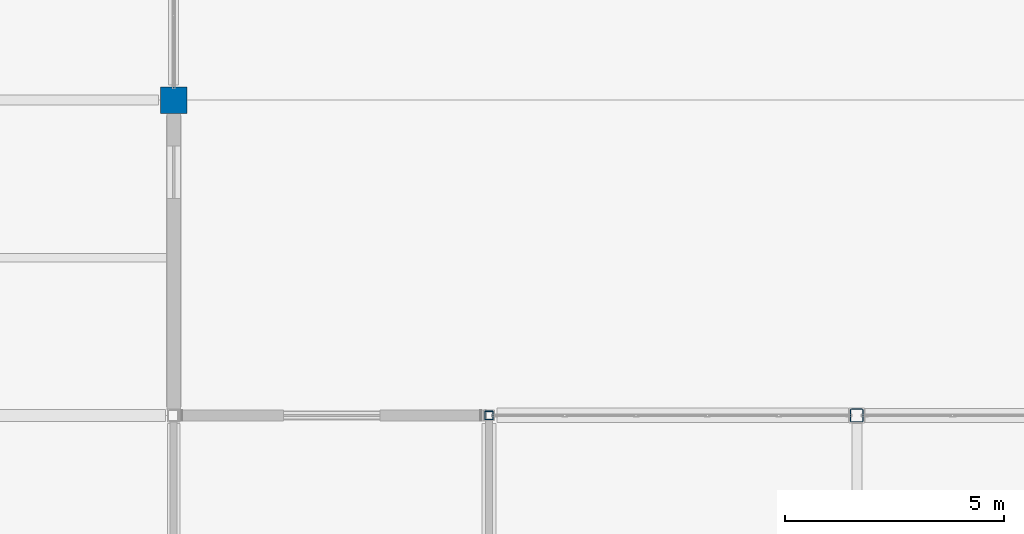
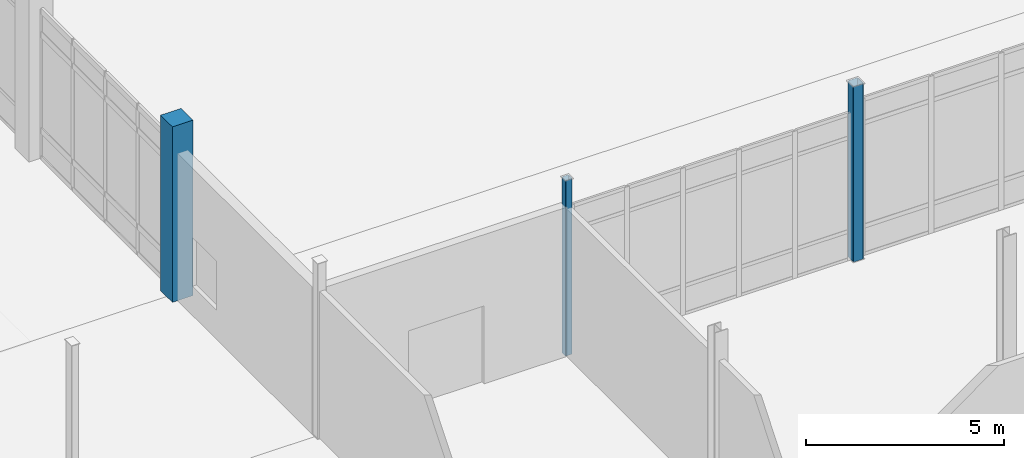
# One storey, part 9 of 229: 3 columns.
"""IFC4 building model written with IfcOpenShell, lengths in metres."""

import ifcopenshell
import ifcopenshell.guid

model = None  # the IFC model being written
_history = None  # IfcOwnerHistory: only IFC2X3 demands one
_inside = {}  # id of a spatial element -> (the spatial element, [elements in it])
_under = {}  # id of a project, library or spatial element -> (it, [spatial elements below it])
_declared = {}  # id of a project -> (the project, [libraries it declares])
_typed = {}  # id of a type object -> (the type object, [elements of that type])
_made_of = {}  # id of a material, layer set ... -> (it, [elements and type objects made of it])


def new_model(schema):
    """Start an empty IFC model of exactly this schema.

    Asked for "IFC4X3", IfcOpenShell would pick the latest addendum, in which some entities
    have other attributes; the version numbers below select the first issue.
    IFC2X3 requires an IfcOwnerHistory on every rooted entity: one is made here for all.
    """
    global model, _history
    if schema == "IFC4X3":
        model = ifcopenshell.file(schema_version=(4, 3, 0, 0))
    else:
        model = ifcopenshell.file(schema=schema)
    _inside.clear()
    _under.clear()
    _declared.clear()
    _typed.clear()
    _made_of.clear()
    _history = None
    if model.schema == "IFC2X3":
        org = make("IfcOrganization", Name="unknown")
        user = make(
            "IfcPersonAndOrganization",
            ThePerson=make("IfcPerson", FamilyName="unknown"),
            TheOrganization=org,
        )
        app = make(
            "IfcApplication",
            ApplicationDeveloper=org,
            Version="unknown",
            ApplicationFullName="unknown",
            ApplicationIdentifier="unknown",
        )
        _history = make(
            "IfcOwnerHistory",
            OwningUser=user,
            OwningApplication=app,
            ChangeAction="ADDED",
            CreationDate=0,
        )
    return model


def make(cls, **values):
    """One entity of the class cls with the attributes given. An attribute that is None is left unset."""
    return model.create_entity(
        cls, **{name: value for name, value in values.items() if value is not None}
    )


def rooted(cls, **values):
    """An entity with a GlobalId (a new one), such as an element, a storey or a relation."""
    return make(cls, GlobalId=ifcopenshell.guid.new(), OwnerHistory=_history, **values)


def si_unit(unit_type, name, prefix=None):
    """IfcSIUnit, for example si_unit("LENGTHUNIT", "METRE", prefix="MILLI")."""
    return make("IfcSIUnit", UnitType=unit_type, Prefix=prefix, Name=name)


def assignment(units):
    """IfcUnitAssignment: the units of a project."""
    return None if units is None else make("IfcUnitAssignment", Units=units)


def point(xyz):
    """IfcCartesianPoint."""
    return None if xyz is None else make("IfcCartesianPoint", Coordinates=xyz)


def direction(xyz):
    """IfcDirection."""
    return None if xyz is None else make("IfcDirection", DirectionRatios=xyz)


def frame(location, z_axis=None, x_axis=None):
    """IfcAxis2Placement3D, a coordinate frame: its origin and axes. An axis left out is left unset."""
    return make(
        "IfcAxis2Placement3D",
        Location=point(location),
        Axis=direction(z_axis),
        RefDirection=direction(x_axis),
    )


def frame_2d(location, x_axis=None):
    """IfcAxis2Placement2D, a coordinate frame in the plane: its origin and x axis."""
    return make(
        "IfcAxis2Placement2D", Location=point(location), RefDirection=direction(x_axis)
    )


def origin():
    """The frame at (0, 0, 0) with its axes left unset."""
    return frame((0.0, 0.0, 0.0))


def origin_2d():
    """The frame at (0, 0) in the plane with its x axis left unset."""
    return frame_2d((0.0, 0.0))


def place(relative_to, where):
    """IfcLocalPlacement: puts the frame where relative to a parent placement (None: the world)."""
    return make(
        "IfcLocalPlacement", PlacementRelTo=relative_to, RelativePlacement=where
    )


def context(
    kind, dimensions, precision=None, world=None, true_north=None, identifier=None
):
    """IfcGeometricRepresentationContext, for example the 3D "Model" context."""
    return make(
        "IfcGeometricRepresentationContext",
        ContextIdentifier=identifier,
        ContextType=kind,
        CoordinateSpaceDimension=dimensions,
        Precision=precision,
        WorldCoordinateSystem=world,
        TrueNorth=true_north,
    )


def subcontext(parent, identifier, kind, view, scale=None):
    """IfcGeometricRepresentationSubContext, for example "Body" below "Model"."""
    return make(
        "IfcGeometricRepresentationSubContext",
        ContextIdentifier=identifier,
        ContextType=kind,
        ParentContext=parent,
        TargetScale=scale,
        TargetView=view,
    )


def project(units=None, contexts=None):
    """IfcProject with its units and contexts."""
    return rooted(
        "IfcProject",
        Name="project",
        RepresentationContexts=contexts,
        UnitsInContext=assignment(units),
    )


def spatial(cls, under=None, at=None, **own):
    """A site, building, storey or space (cls), placed at a placement, below another one or the project."""
    s = rooted(cls, ObjectPlacement=at, **own)
    if under is not None:
        _under.setdefault(under.id(), (under, []))[1].append(s)
    return s


def profile(cls, at=None, kind="AREA", **sizes):
    """A parametric profile (cls). Its sizes go by their IFC names, for example OverallWidth=200.0."""
    return make(cls, ProfileType=kind, Position=at, **sizes)


def rectangle(**sizes):
    """IfcRectangleProfileDef."""
    return profile("IfcRectangleProfileDef", **sizes)


def hollow_rectangle(**sizes):
    """IfcRectangleHollowProfileDef."""
    return profile("IfcRectangleHollowProfileDef", **sizes)


def extrude(swept, where, along, depth):
    """IfcExtrudedAreaSolid: the profile swept, set in the frame where, extruded along a direction by depth."""
    return make(
        "IfcExtrudedAreaSolid",
        SweptArea=swept,
        Position=where,
        ExtrudedDirection=direction(along),
        Depth=depth,
    )


def shape(context_of_items, identifier, shape_type, items):
    """IfcShapeRepresentation: the items that make up one representation, for example the "Body"."""
    return make(
        "IfcShapeRepresentation",
        ContextOfItems=context_of_items,
        RepresentationIdentifier=identifier,
        RepresentationType=shape_type,
        Items=items,
    )


def material(Name=None, Category=None):
    """IfcMaterial."""
    return make("IfcMaterial", Name=Name, Category=Category)


def material_profile(
    of_material, cross_section, Name=None, Category=None, Priority=None
):
    """IfcMaterialProfile: a cross section and its material."""
    return make(
        "IfcMaterialProfile",
        Name=Name,
        Material=of_material,
        Profile=cross_section,
        Priority=Priority,
        Category=Category,
    )


def profile_set(profiles, Name=None, composite=None):
    """IfcMaterialProfileSet."""
    return make(
        "IfcMaterialProfileSet",
        Name=Name,
        MaterialProfiles=profiles,
        CompositeProfile=composite,
    )


def made_of(thing, what):
    """Note that an element or type object is made of a material, layer set ...; save() writes the relation."""
    if what is not None:
        _made_of.setdefault(what.id(), (what, []))[1].append(thing)
    return thing


def type_object(cls, material=None, **own):
    """A type object (cls), such as IfcWallType, which elements share."""
    return made_of(rooted(cls, **own), material)


def element(
    cls,
    number,
    at=None,
    inside=None,
    cuts=None,
    type_object=None,
    material=None,
    context=None,
    identifier="Body",
    shape_type=None,
    held_by="IfcProductDefinitionShape",
    body=None,
    shapes=None,
    **own,
):
    """One element of the class cls, such as IfcWall. Its Tag is "e" and its number.

    at: its placement. inside: the storey or other place that contains it. cuts: it is an
    opening in that element (IfcRelVoidsElement). A single representation is given by context,
    identifier, shape_type and body (its items); several are given by shapes. held_by: the class
    of the entity that holds the representations. save() writes the other relations.
    """
    e = rooted(cls, Tag="e%d" % number, ObjectPlacement=at, **own)
    if body is not None:
        shapes = [shape(context, identifier, shape_type, body)]
    if shapes is not None:
        e.Representation = make(held_by, Representations=shapes)
    if inside is not None:
        _inside.setdefault(inside.id(), (inside, []))[1].append(e)
    if cuts is not None:
        rooted(
            "IfcRelVoidsElement", RelatingBuildingElement=cuts, RelatedOpeningElement=e
        )
    if type_object is not None:
        _typed.setdefault(type_object.id(), (type_object, []))[1].append(e)
    return made_of(e, material)


def aggregate(whole, parts):
    """IfcRelAggregates: a whole, such as a stair, and the parts it consists of."""
    return rooted("IfcRelAggregates", RelatingObject=whole, RelatedObjects=parts)


def save(model, path):
    """Write the relations noted so far, then the file.

    IfcRelAggregates (storeys below a building ...), IfcRelContainedInSpatialStructure (elements
    in a storey), IfcRelDefinesByType, IfcRelAssociatesMaterial and IfcRelDeclares: one each for
    every whole, place, type object, material and project.
    """
    for whole, parts in _under.values():
        aggregate(whole, parts)
    for where, things in _inside.values():
        rooted(
            "IfcRelContainedInSpatialStructure",
            RelatedElements=things,
            RelatingStructure=where,
        )
    for kind, things in _typed.values():
        rooted("IfcRelDefinesByType", RelatedObjects=things, RelatingType=kind)
    for what, things in _made_of.values():
        rooted("IfcRelAssociatesMaterial", RelatedObjects=things, RelatingMaterial=what)
    for by, libraries in _declared.values():
        rooted("IfcRelDeclares", RelatingContext=by, RelatedDefinitions=libraries)
    model.write(path)


model = new_model("IFC4")

# Units and contexts
model_context = context("Model", 3, precision=1e-05, world=origin(), true_north=direction((0.0, 1.0)))
body_context = subcontext(model_context, "Body", "Model", "MODEL_VIEW")
ifc_project = project(units=[si_unit("LENGTHUNIT", "METRE"), si_unit("AREAUNIT", "SQUARE_METRE"), si_unit("VOLUMEUNIT", "CUBIC_METRE"), si_unit("PLANEANGLEUNIT", "RADIAN"), si_unit("MASSUNIT", "GRAM", prefix="KILO")], contexts=[model_context])

# Site, building, storey
site_placement = place(None, origin())
site = spatial("IfcSite", under=ifc_project, at=site_placement, CompositionType="ELEMENT")
building_placement = place(site_placement, origin())
building = spatial("IfcBuilding", under=site, at=building_placement, Name="Calvrana Isthmian Art Gallery", CompositionType="ELEMENT")
storey_placement = place(building_placement, origin())
storey = spatial("IfcBuildingStorey", under=building, at=storey_placement, Name="L00", CompositionType="ELEMENT", Elevation=0.0)

# Columns
ifc_material_1 = material(Name="Concrete C40/50", Category="concrete")
ifc_material_profile_1 = material_profile(ifc_material_1, rectangle(XDim=0.60009765625, YDim=0.60009765625, at=origin_2d()), Name="RC600X600")
ifc_profile_set_1 = profile_set([ifc_material_profile_1], Name="Concrete C40/50")
column_type_1 = type_object("IfcColumnType", Name="COL-RC-RC600X600", PredefinedType="COLUMN", material=ifc_profile_set_1)
column_1_placement = place(storey_placement, frame((14.39990234375, 76.800048828125, 0.0), z_axis=(0.0, 0.0, 1.0), x_axis=(1.0, 0.0, 0.0)))
element("IfcColumn", 1, at=column_1_placement, inside=storey, type_object=column_type_1, Name="Column 03/K L00", PredefinedType="COLUMN", context=body_context, shape_type="SweptSolid", body=[
    extrude(rectangle(XDim=0.60009765625, YDim=0.60009765625, at=origin_2d()), origin(), (0.0, 0.0, 1.0), 5.39990234375),
])
ifc_material_2 = material(Name="Steel ASTM A500 Gr C", Category="steel")
ifc_material_profile_2 = material_profile(ifc_material_2, hollow_rectangle(XDim=0.203125, YDim=0.203125, WallThickness=0.0126953125, OuterFilletRadius=0.02490234375, at=origin_2d()), Name="HSS203X203X12.7")
ifc_profile_set_2 = profile_set([ifc_material_profile_2], Name="Steel ASTM A500 Gr C")
column_type_2 = type_object("IfcColumnType", Name="COL-STL-HSS203X203X12.7", PredefinedType="COLUMN", material=ifc_profile_set_2)
column_2_placement = place(storey_placement, frame((21.60009765625, 69.60009765625, 0.0), z_axis=(0.0, 0.0, 1.0), x_axis=(1.0, 0.0, 0.0)))
element("IfcColumn", 2, at=column_2_placement, inside=storey, type_object=column_type_2, Name="Column 04/J L00", PredefinedType="COLUMN", context=body_context, shape_type="SweptSolid", body=[
    extrude(hollow_rectangle(XDim=0.203125, YDim=0.203125, WallThickness=0.0126953125, OuterFilletRadius=0.02490234375, at=origin_2d()), origin(), (0.0, 0.0, 1.0), 5.39990234375),
])
ifc_material_profile_3 = material_profile(ifc_material_2, hollow_rectangle(XDim=0.3046875, YDim=0.3046875, WallThickness=0.015869140625, OuterFilletRadius=0.031982421875, at=origin_2d()), Name="HSS305X305X15.9")
ifc_profile_set_3 = profile_set([ifc_material_profile_3], Name="Steel ASTM A500 Gr C")
column_type_3 = type_object("IfcColumnType", Name="COL-STL-HSS305X305X15.9", PredefinedType="COLUMN", material=ifc_profile_set_3)
column_3_placement = place(storey_placement, frame((30.0, 69.60009765625, 0.0), z_axis=(0.0, 0.0, 1.0), x_axis=(1.0, 0.0, 0.0)))
element("IfcColumn", 3, at=column_3_placement, inside=storey, type_object=column_type_3, Name="Column 05/J L00", PredefinedType="COLUMN", context=body_context, shape_type="SweptSolid", body=[
    extrude(hollow_rectangle(XDim=0.3046875, YDim=0.3046875, WallThickness=0.015869140625, OuterFilletRadius=0.031982421875, at=origin_2d()), origin(), (0.0, 0.0, 1.0), 5.39990234375),
])

save(model, "model.ifc")
